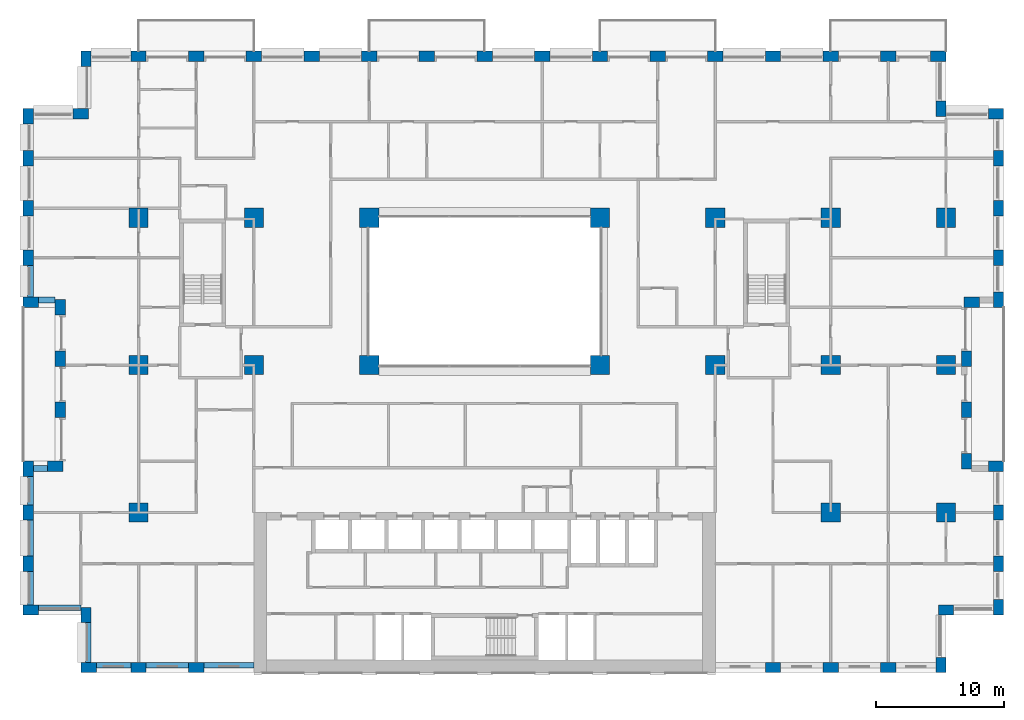
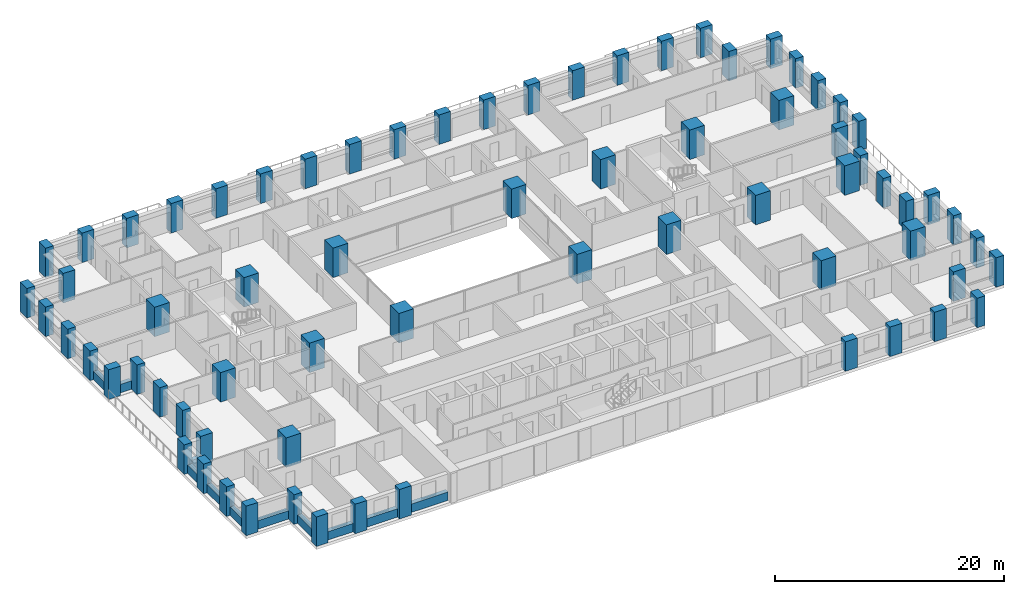
# One storey, part 1 of 19: 70 columns, 11 beams.
"""IFC4 building model written with IfcOpenShell, lengths in metres."""

from ifc_helpers import new_model, si_unit, direction, frame, origin, origin_2d, place, context, subcontext, project, spatial, rectangle, extrude, material, material_profile, profile_set, type_object, element, save


model = new_model("IFC4")

# Units and contexts
model_context = context("Model", 3, precision=1e-05, world=origin(), true_north=direction((0.0, 1.0)))
body_context = subcontext(model_context, "Body", "Model", "MODEL_VIEW")
ifc_project = project(units=[si_unit("LENGTHUNIT", "METRE"), si_unit("AREAUNIT", "SQUARE_METRE"), si_unit("VOLUMEUNIT", "CUBIC_METRE"), si_unit("PLANEANGLEUNIT", "RADIAN"), si_unit("MASSUNIT", "GRAM", prefix="KILO")], contexts=[model_context])

# Site, building, storey
site_placement = place(None, origin())
site = spatial("IfcSite", under=ifc_project, at=site_placement, CompositionType="ELEMENT")
building_placement = place(site_placement, origin())
building = spatial("IfcBuilding", under=site, at=building_placement, Name="Brigalow Station Residences", CompositionType="ELEMENT")
storey_placement = place(building_placement, frame((0.0, 0.0, 35.25)))
storey = spatial("IfcBuildingStorey", under=building, at=storey_placement, Name="L09", CompositionType="ELEMENT", Elevation=35.25)

# Columns
ifc_material_1 = material(Name="Concrete C80", Category="concrete")
ifc_material_profile_1 = material_profile(ifc_material_1, rectangle(XDim=1.5, YDim=1.5, at=origin_2d()), Name="RC1500x1500")
ifc_profile_set_1 = profile_set([ifc_material_profile_1], Name="Concrete C80")
column_type_1 = type_object("IfcColumnType", Name="COLUMN 1500x1500 C80", PredefinedType="COLUMN", material=ifc_profile_set_1)
for number, where, z_axis, x_axis, name in (
    (1, (9.0, 24.0, 0.0), (0.0, 0.0, 1.0), (1.0, 0.0, 0.0), "COLUMN C1 L09"),
    (2, (18.0, 24.0, 0.0), (0.0, 0.0, 1.0), (1.0, 0.0, 0.0), "COLUMN C2 L09"),
    (3, (27.0, 24.0, 0.0), (0.0, 0.0, 1.0), (1.0, 0.0, 0.0), "COLUMN C3 L09"),
    (4, (45.0, 24.0, 0.0), (0.0, 0.0, 1.0), (1.0, 0.0, 0.0), "COLUMN C5 L09"),
    (5, (54.0, 24.0, 0.0), (0.0, 0.0, 1.0), (1.0, 0.0, 0.0), "COLUMN C6 L09"),
    (6, (63.0, 24.0, 0.0), (0.0, 0.0, 1.0), (1.0, 0.0, 0.0), "COLUMN C7 L09"),
    (7, (72.0, 24.0, 0.0), (0.0, 0.0, 1.0), (1.0, 0.0, 0.0), "COLUMN C8 L09"),
    (8, (9.0, 35.5, 0.0), (0.0, 0.0, 1.0), (1.0, 0.0, 0.0), "COLUMN D1 L09"),
    (9, (18.0, 35.5, 0.0), (0.0, 0.0, 1.0), (1.0, 0.0, 0.0), "COLUMN D2 L09"),
    (10, (27.0, 35.5, 0.0), (0.0, 0.0, 1.0), (1.0, 0.0, 0.0), "COLUMN D3 L09"),
    (11, (45.0, 35.5, 0.0), (0.0, 0.0, 1.0), (1.0, 0.0, 0.0), "COLUMN D5 L09"),
    (12, (54.0, 35.5, 0.0), (0.0, 0.0, 1.0), (1.0, 0.0, 0.0), "COLUMN D6 L09"),
    (13, (63.0, 35.5, 0.0), (0.0, 0.0, 1.0), (1.0, 0.0, 0.0), "COLUMN D7 L09"),
    (14, (72.0, 35.5, 0.0), (0.0, 0.0, 1.0), (1.0, 0.0, 0.0), "COLUMN D8 L09"),
    (15, (9.0, 12.5, 0.0), (0.0, 0.0, 1.0), (1.0, 0.0, 0.0), "COLUMN B1 L09"),
    (16, (63.0, 12.5, 0.0), (0.0, 0.0, 1.0), (1.0, 0.0, 0.0), "COLUMN B7 L09"),
    (17, (72.0, 12.5, 0.0), (0.0, 0.0, 1.0), (1.0, 0.0, 0.0), "COLUMN B8 L09"),
):
    element("IfcColumn", number, at=place(storey_placement, frame(where, z_axis=z_axis, x_axis=x_axis)), inside=storey, type_object=column_type_1, Name=name, PredefinedType="COLUMN", context=body_context, shape_type="SweptSolid", body=[
        extrude(rectangle(XDim=1.5, YDim=1.5, at=origin_2d()), origin(), (0.0, 0.0, 1.0), 3.14990234375),
    ])
ifc_material_2 = material(Name="Concrete C80", Category="concrete")
ifc_material_profile_2 = material_profile(ifc_material_2, rectangle(XDim=1.199951171875, YDim=0.800048828125, at=origin_2d()), Name="RC1200x800")
ifc_profile_set_2 = profile_set([ifc_material_profile_2], Name="Concrete C80")
column_type_2 = type_object("IfcColumnType", Name="PIER 1200x800 C80", PredefinedType="USERDEFINED", material=ifc_profile_set_2)
for number, where, z_axis, x_axis, name in (
    (18, (5.10009765625, 0.39990234375, 0.0), (0.0, 0.0, 1.0), (1.0, 0.0, 0.0), "PIER S-1 L09"),
    (19, (9.0, 0.39990234375, 0.0), (0.0, 0.0, 1.0), (1.0, 0.0, 0.0), "PIER S-2 L09"),
    (20, (13.5, 0.39990234375, 0.0), (0.0, 0.0, 1.0), (1.0, 0.0, 0.0), "PIER S-3 L09"),
    (21, (58.5, 0.39990234375, 0.0), (0.0, 0.0, 1.0), (1.0, 0.0, 0.0), "PIER S-13 L09"),
    (22, (63.0, 0.39990234375, 0.0), (0.0, 0.0, 1.0), (1.0, 0.0, 0.0), "PIER S-14 L09"),
    (23, (67.5, 0.39990234375, 0.0), (0.0, 0.0, 1.0), (1.0, 0.0, 0.0), "PIER S-15 L09"),
    (24, (71.60009765625, 0.60009765625, 0.0), (0.0, 0.0, 1.0), (0.0, 1.0, 0.0), "PIER SE1-1 L09"),
    (25, (72.0, 4.89990234375, 0.0), (0.0, 0.0, 1.0), (1.0, 0.0, 0.0), "PIER SE2-1 L09"),
    (26, (76.10009765625, 5.10009765625, 0.0), (0.0, 0.0, 1.0), (0.0, 1.0, 0.0), "PIER E1-1 L09"),
    (27, (76.10009765625, 8.5, 0.0), (0.0, 0.0, 1.0), (0.0, 1.0, 0.0), "PIER E1-2 L09"),
    (28, (76.10009765625, 12.5, 0.0), (0.0, 0.0, 1.0), (0.0, 1.0, 0.0), "PIER E1-3 L09"),
    (29, (75.89990234375, 16.10009765625, 0.0), (0.0, 0.0, 1.0), (-1.0, 0.0, 0.0), "PIER EL1-1 L09"),
    (30, (73.60009765625, 16.5, 0.0), (0.0, 0.0, 1.0), (0.0, 1.0, 0.0), "PIER EL2-1 L09"),
    (31, (73.60009765625, 20.5, 0.0), (0.0, 0.0, 1.0), (0.0, 1.0, 0.0), "PIER EL2-2 L09"),
    (32, (73.60009765625, 24.5, 0.0), (0.0, 0.0, 1.0), (0.0, 1.0, 0.0), "PIER EL2-3 L09"),
    (33, (74.0, 28.89990234375, 0.0), (0.0, 0.0, 1.0), (1.0, 0.0, 0.0), "PIER EL3-1 L09"),
    (34, (76.10009765625, 29.10009765625, 0.0), (0.0, 0.0, 1.0), (0.0, 1.0, 0.0), "PIER E2-1 L09"),
    (35, (76.10009765625, 32.375, 0.0), (0.0, 0.0, 1.0), (0.0, 1.0, 0.0), "PIER E2-2 L09"),
    (36, (76.10009765625, 36.25, 0.0), (0.0, 0.0, 1.0), (0.0, 1.0, 0.0), "PIER E2-3 L09"),
    (37, (76.10009765625, 40.125, 0.0), (0.0, 0.0, 1.0), (0.0, 1.0, 0.0), "PIER E2-4 L09"),
    (38, (75.89990234375, 43.60009765625, 0.0), (0.0, 0.0, 1.0), (-1.0, 0.0, 0.0), "PIER NE1-1 L09"),
    (39, (71.60009765625, 44.0, 0.0), (0.0, 0.0, 1.0), (0.0, 1.0, 0.0), "PIER NE2-1 L09"),
    (40, (71.39990234375, 48.10009765625, 0.0), (0.0, 0.0, 1.0), (-1.0, 0.0, 0.0), "PIER N-1 L09"),
    (41, (67.5, 48.10009765625, 0.0), (0.0, 0.0, 1.0), (-1.0, 0.0, 0.0), "PIER N-2 L09"),
    (42, (63.0, 48.10009765625, 0.0), (0.0, 0.0, 1.0), (-1.0, 0.0, 0.0), "PIER N-3 L09"),
    (43, (58.5, 48.10009765625, 0.0), (0.0, 0.0, 1.0), (-1.0, 0.0, 0.0), "PIER N-4 L09"),
    (44, (54.0, 48.10009765625, 0.0), (0.0, 0.0, 1.0), (-1.0, 0.0, 0.0), "PIER N-5 L09"),
    (45, (49.5, 48.10009765625, 0.0), (0.0, 0.0, 1.0), (-1.0, 0.0, 0.0), "PIER N-6 L09"),
    (46, (45.0, 48.10009765625, 0.0), (0.0, 0.0, 1.0), (-1.0, 0.0, 0.0), "PIER N-7 L09"),
    (47, (40.5, 48.10009765625, 0.0), (0.0, 0.0, 1.0), (-1.0, 0.0, 0.0), "PIER N-8 L09"),
    (48, (36.0, 48.10009765625, 0.0), (0.0, 0.0, 1.0), (-1.0, 0.0, 0.0), "PIER N-9 L09"),
    (49, (31.5, 48.10009765625, 0.0), (0.0, 0.0, 1.0), (-1.0, 0.0, 0.0), "PIER N-10 L09"),
    (50, (27.0, 48.10009765625, 0.0), (0.0, 0.0, 1.0), (-1.0, 0.0, 0.0), "PIER N-11 L09"),
    (51, (22.5, 48.10009765625, 0.0), (0.0, 0.0, 1.0), (-1.0, 0.0, 0.0), "PIER N-12 L09"),
    (52, (18.0, 48.10009765625, 0.0), (0.0, 0.0, 1.0), (-1.0, 0.0, 0.0), "PIER N-13 L09"),
    (53, (13.5, 48.10009765625, 0.0), (0.0, 0.0, 1.0), (-1.0, 0.0, 0.0), "PIER N-14 L09"),
    (54, (9.0, 48.10009765625, 0.0), (0.0, 0.0, 1.0), (-1.0, 0.0, 0.0), "PIER N-15 L09"),
    (55, (4.89990234375, 47.89990234375, 0.0), (0.0, 0.0, 1.0), (0.0, -1.0, 0.0), "PIER NW1-1 L09"),
    (56, (4.5, 43.60009765625, 0.0), (0.0, 0.0, 1.0), (-1.0, 0.0, 0.0), "PIER NW2-1 L09"),
    (57, (0.39990234375, 43.39990234375, 0.0), (0.0, 0.0, 1.0), (0.0, -1.0, 0.0), "PIER W2-1 L09"),
    (58, (0.39990234375, 40.125, 0.0), (0.0, 0.0, 1.0), (0.0, -1.0, 0.0), "PIER W2-2 L09"),
    (59, (0.39990234375, 36.25, 0.0), (0.0, 0.0, 1.0), (0.0, -1.0, 0.0), "PIER W2-3 L09"),
    (60, (0.39990234375, 32.375, 0.0), (0.0, 0.0, 1.0), (0.0, -1.0, 0.0), "PIER W2-4 L09"),
    (61, (0.60009765625, 28.89990234375, 0.0), (0.0, 0.0, 1.0), (1.0, 0.0, 0.0), "PIER WL1-1 L09"),
    (62, (2.89990234375, 28.5, 0.0), (0.0, 0.0, 1.0), (0.0, -1.0, 0.0), "PIER WL2-1 L09"),
    (63, (2.89990234375, 24.5, 0.0), (0.0, 0.0, 1.0), (0.0, -1.0, 0.0), "PIER WL2-2 L09"),
    (64, (2.89990234375, 20.5, 0.0), (0.0, 0.0, 1.0), (0.0, -1.0, 0.0), "PIER WL2-3 L09"),
    (65, (2.5, 16.10009765625, 0.0), (0.0, 0.0, 1.0), (-1.0, 0.0, 0.0), "PIER WL3-1 L09"),
    (66, (0.39990234375, 15.89990234375, 0.0), (0.0, 0.0, 1.0), (0.0, -1.0, 0.0), "PIER W1-1 L09"),
    (67, (0.39990234375, 12.5, 0.0), (0.0, 0.0, 1.0), (0.0, -1.0, 0.0), "PIER W1-2 L09"),
    (68, (0.39990234375, 8.5, 0.0), (0.0, 0.0, 1.0), (0.0, -1.0, 0.0), "PIER W1-3 L09"),
    (69, (0.60009765625, 4.89990234375, 0.0), (0.0, 0.0, 1.0), (1.0, 0.0, 0.0), "PIER SW1-1 L09"),
    (70, (4.89990234375, 4.5, 0.0), (0.0, 0.0, 1.0), (0.0, -1.0, 0.0), "PIER SW2-1 L09"),
):
    element("IfcColumn", number, at=place(storey_placement, frame(where, z_axis=z_axis, x_axis=x_axis)), inside=storey, type_object=column_type_2, Name=name, ObjectType="PIER", PredefinedType="USERDEFINED", context=body_context, shape_type="SweptSolid", body=[
        extrude(rectangle(XDim=1.199951171875, YDim=0.800048828125, at=origin_2d()), origin(), (0.0, 0.0, 1.0), 3.14990234375),
    ])

# Beams
ifc_material_3 = material(Name="Concrete C65", Category="concrete")
ifc_material_profile_3 = material_profile(ifc_material_3, rectangle(XDim=0.449951171875, YDim=0.89990234375, at=origin_2d()), Name="RC450x900")
ifc_profile_set_3 = profile_set([ifc_material_profile_3], Name="Concrete C65")
beam_type = type_object("IfcBeamType", Name="SPANDREL BEAM 450x900 C65", PredefinedType="SPANDREL", material=ifc_profile_set_3)
beam_1_placement = place(storey_placement, frame((5.699951171875, 0.574951171875, 0.449951171875), z_axis=(1.0, 0.0, 0.0), x_axis=(0.0, 1.0, 0.0)))
element("IfcBeam", 71, at=beam_1_placement, inside=storey, type_object=beam_type, Name="L09/spandrel/W-L09-1", PredefinedType="SPANDREL", context=body_context, shape_type="SweptSolid", body=[
    extrude(rectangle(XDim=0.449951171875, YDim=0.89990234375, at=origin_2d()), origin(), (0.0, 0.0, 1.0), 2.699951171875),
])
beam_2_placement = place(storey_placement, frame((9.60009765625, 0.574951171875, 0.449951171875), z_axis=(1.0, 0.0, 0.0), x_axis=(0.0, 1.0, 0.0)))
element("IfcBeam", 72, at=beam_2_placement, inside=storey, type_object=beam_type, Name="L09/spandrel/W-L09-2", PredefinedType="SPANDREL", context=body_context, shape_type="SweptSolid", body=[
    extrude(rectangle(XDim=0.449951171875, YDim=0.89990234375, at=origin_2d()), origin(), (0.0, 0.0, 1.0), 3.2998046875),
])
beam_3_placement = place(storey_placement, frame((14.10009765625, 0.574951171875, 0.449951171875), z_axis=(1.0, 0.0, 0.0), x_axis=(0.0, 1.0, 0.0)))
element("IfcBeam", 73, at=beam_3_placement, inside=storey, type_object=beam_type, Name="L09/spandrel/W-L09-3", PredefinedType="SPANDREL", context=body_context, shape_type="SweptSolid", body=[
    extrude(rectangle(XDim=0.449951171875, YDim=0.89990234375, at=origin_2d()), origin(), (0.0, 0.0, 1.0), 3.89990234375),
])
beam_4_placement = place(storey_placement, frame((0.574951171875, 31.77490234375, 0.449951171875), z_axis=(0.0, -1.0, 0.0), x_axis=(1.0, 0.0, 0.0)))
element("IfcBeam", 74, at=beam_4_placement, inside=storey, type_object=beam_type, Name="L09/spandrel/W-L09-45", PredefinedType="SPANDREL", context=body_context, shape_type="SweptSolid", body=[
    extrude(rectangle(XDim=0.449951171875, YDim=0.89990234375, at=origin_2d()), origin(), (0.0, 0.0, 1.0), 2.474853515625),
])
beam_5_placement = place(storey_placement, frame((1.199951171875, 29.074951171875, 0.449951171875), z_axis=(1.0, 0.0, 0.0), x_axis=(0.0, 1.0, 0.0)))
element("IfcBeam", 75, at=beam_5_placement, inside=storey, type_object=beam_type, Name="L09/spandrel/W-L09-46", PredefinedType="SPANDREL", context=body_context, shape_type="SweptSolid", body=[
    extrude(rectangle(XDim=0.449951171875, YDim=0.89990234375, at=origin_2d()), origin(), (0.0, 0.0, 1.0), 1.300048828125),
])
beam_6_placement = place(storey_placement, frame((1.89990234375, 15.925048828125, 0.449951171875), z_axis=(-1.0, 0.0, 0.0), x_axis=(0.0, -1.0, 0.0)))
element("IfcBeam", 76, at=beam_6_placement, inside=storey, type_object=beam_type, Name="L09/spandrel/W-L09-50", PredefinedType="SPANDREL", context=body_context, shape_type="SweptSolid", body=[
    extrude(rectangle(XDim=0.449951171875, YDim=0.89990234375, at=origin_2d()), origin(), (0.0, 0.0, 1.0), 1.099853515625),
])
beam_7_placement = place(storey_placement, frame((0.574951171875, 15.300048828125, 0.449951171875), z_axis=(0.0, -1.0, 0.0), x_axis=(1.0, 0.0, 0.0)))
element("IfcBeam", 77, at=beam_7_placement, inside=storey, type_object=beam_type, Name="L09/spandrel/W-L09-51", PredefinedType="SPANDREL", context=body_context, shape_type="SweptSolid", body=[
    extrude(rectangle(XDim=0.449951171875, YDim=0.89990234375, at=origin_2d()), origin(), (0.0, 0.0, 1.0), 2.199951171875),
])
beam_8_placement = place(storey_placement, frame((0.574951171875, 11.89990234375, 0.449951171875), z_axis=(0.0, -1.0, 0.0), x_axis=(1.0, 0.0, 0.0)))
element("IfcBeam", 78, at=beam_8_placement, inside=storey, type_object=beam_type, Name="L09/spandrel/W-L09-52", PredefinedType="SPANDREL", context=body_context, shape_type="SweptSolid", body=[
    extrude(rectangle(XDim=0.449951171875, YDim=0.89990234375, at=origin_2d()), origin(), (0.0, 0.0, 1.0), 2.7998046875),
])
beam_9_placement = place(storey_placement, frame((0.574951171875, 7.89990234375, 0.449951171875), z_axis=(0.0, -1.0, 0.0), x_axis=(1.0, 0.0, 0.0)))
element("IfcBeam", 79, at=beam_9_placement, inside=storey, type_object=beam_type, Name="L09/spandrel/W-L09-53", PredefinedType="SPANDREL", context=body_context, shape_type="SweptSolid", body=[
    extrude(rectangle(XDim=0.449951171875, YDim=0.89990234375, at=origin_2d()), origin(), (0.0, 0.0, 1.0), 2.599853515625),
])
beam_10_placement = place(storey_placement, frame((1.199951171875, 5.074951171875, 0.449951171875), z_axis=(1.0, 0.0, 0.0), x_axis=(0.0, 1.0, 0.0)))
element("IfcBeam", 80, at=beam_10_placement, inside=storey, type_object=beam_type, Name="L09/spandrel/W-L09-54", PredefinedType="SPANDREL", context=body_context, shape_type="SweptSolid", body=[
    extrude(rectangle(XDim=0.449951171875, YDim=0.89990234375, at=origin_2d()), origin(), (0.0, 0.0, 1.0), 3.300048828125),
])
beam_11_placement = place(storey_placement, frame((5.074951171875, 3.89990234375, 0.449951171875), z_axis=(0.0, -1.0, 0.0), x_axis=(1.0, 0.0, 0.0)))
element("IfcBeam", 81, at=beam_11_placement, inside=storey, type_object=beam_type, Name="L09/spandrel/W-L09-55", PredefinedType="SPANDREL", context=body_context, shape_type="SweptSolid", body=[
    extrude(rectangle(XDim=0.449951171875, YDim=0.89990234375, at=origin_2d()), origin(), (0.0, 0.0, 1.0), 3.099853515625),
])

save(model, "model.ifc")
